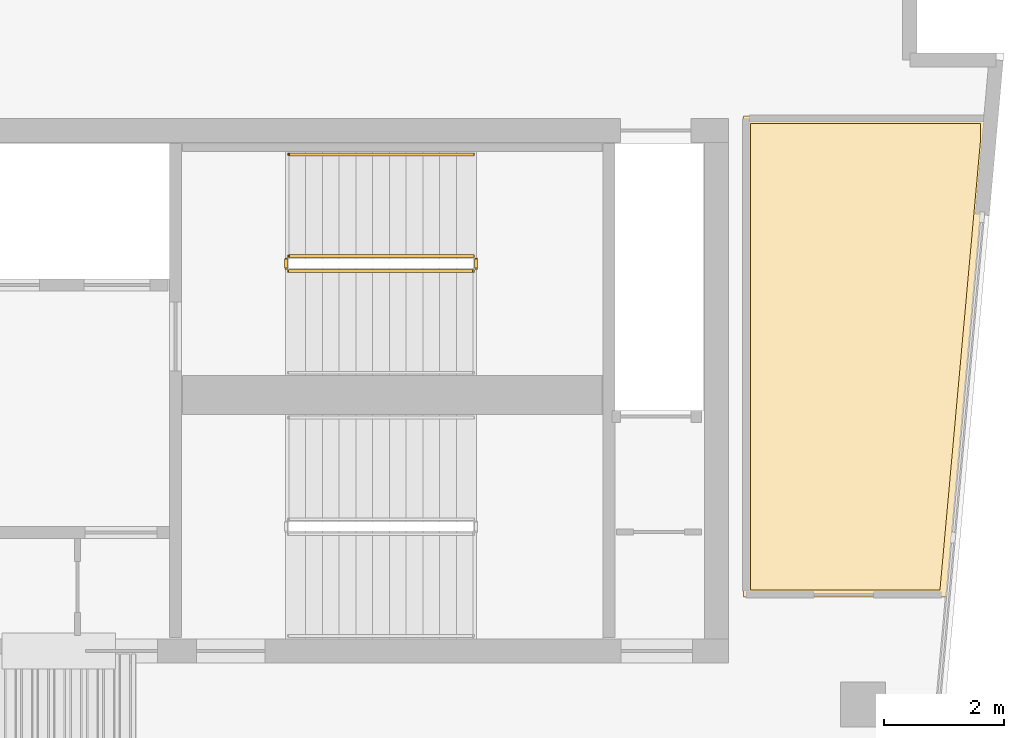
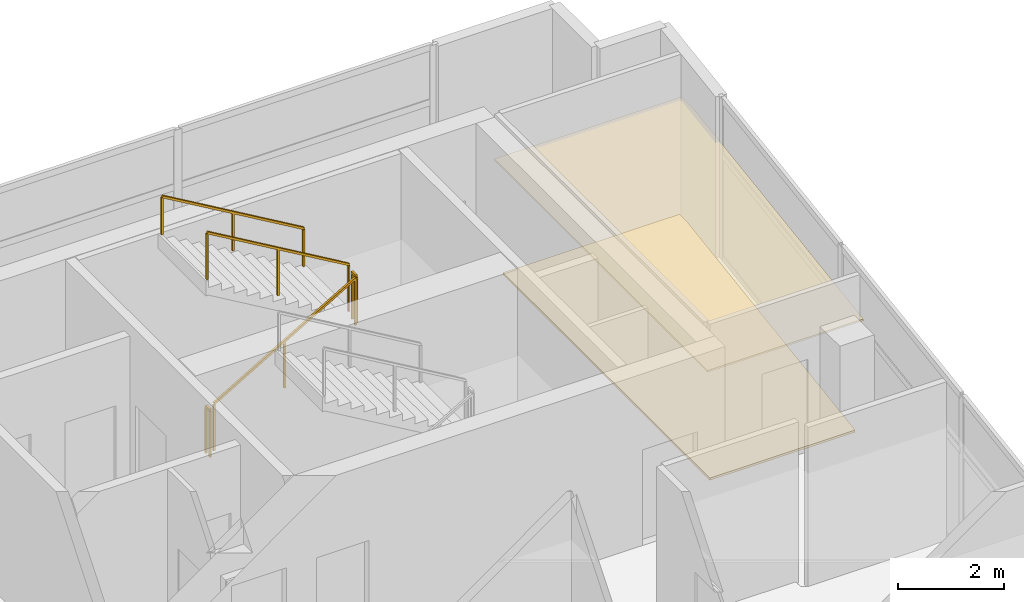
# One storey, part 7 of 7: 5 railings, 2 coverings.
"""IFC4 building model written with IfcOpenShell, lengths in metres."""

from ifc_helpers import new_model, si_unit, direction, frame, origin, origin_2d, place, context, subcontext, project, spatial, polyline, rectangle, outline, extrude, material, layer, layer_set, type_object, element, save


model = new_model("IFC4")

# Units and contexts
model_context = context("Model", 3, precision=1e-05, world=origin(), true_north=direction((0.0, 1.0)))
body_context = subcontext(model_context, "Body", "Model", "MODEL_VIEW")
ifc_project = project(units=[si_unit("LENGTHUNIT", "METRE"), si_unit("AREAUNIT", "SQUARE_METRE"), si_unit("VOLUMEUNIT", "CUBIC_METRE"), si_unit("PLANEANGLEUNIT", "RADIAN"), si_unit("MASSUNIT", "GRAM", prefix="KILO")], contexts=[model_context])

# Site, building, storey
site_placement = place(None, origin())
site = spatial("IfcSite", under=ifc_project, at=site_placement, CompositionType="ELEMENT")
building_placement = place(site_placement, origin())
building = spatial("IfcBuilding", under=site, at=building_placement, Name="Caeloran Harvest Quay", CompositionType="ELEMENT")
storey_placement = place(building_placement, frame((0.0, 0.0, 315.949951171875)))
storey = spatial("IfcBuildingStorey", under=building, at=storey_placement, Name="L76", CompositionType="ELEMENT", Elevation=315.949951171875)

# Coverings
ifc_material_1 = material(Name="Perforated Mineral-Fibre Acoustic Ceiling Tile", Category="ceiling")
ifc_layer_1 = layer(ifc_material_1, 0.0400390625, Name="Perforated Mineral-Fibre Acoustic Ceiling Tile")
ifc_layer_set_1 = layer_set([ifc_layer_1], Name="Perforated Mineral-Fibre Acoustic Ceiling Tile")
covering_type_1 = type_object("IfcCoveringType", Name="COV-CEILING-ACOUSTIC", PredefinedType="CEILING", material=ifc_layer_set_1)
covering_1_placement = place(storey_placement, frame((0.0, 0.0, 2.60009765625)))
element("IfcCovering", 1, at=covering_1_placement, inside=storey, type_object=covering_type_1, Name="L76 Bioinformatics and Crop Phenotyping Laboratory Acoustic Ceiling", PredefinedType="CEILING", context=body_context, shape_type="SweptSolid", body=[
    extrude(outline(polyline([(27.57861328125, 40.3876953125), (26.89453125, 32.800048828125), (23.5, 32.800048828125), (23.5, 40.840087890625), (27.57861328125, 40.840087890625), (27.57861328125, 40.3876953125)])), origin(), (0.0, 0.0, 1.0), 0.0400390625),
])
ifc_material_2 = material(Name="Calcium-Sulphate Raised Access Floor and Terrazzo Finish", Category="flooring")
ifc_layer_2 = layer(ifc_material_2, 0.050048828125, Name="Calcium-Sulphate Raised Access Floor and Terrazzo Finish")
ifc_layer_set_2 = layer_set([ifc_layer_2], Name="Calcium-Sulphate Raised Access Floor and Terrazzo Finish")
covering_type_2 = type_object("IfcCoveringType", Name="COV-FLOOR-RAISED", PredefinedType="FLOORING", material=ifc_layer_set_2)
covering_2_placement = place(storey_placement, origin())
element("IfcCovering", 2, at=covering_2_placement, inside=storey, type_object=covering_type_2, Name="L76 Bioinformatics and Crop Phenotyping Laboratory Raised Finish Flooring", PredefinedType="FLOORING", context=body_context, shape_type="SweptSolid", body=[
    extrude(outline(polyline([(27.458740234375, 40.39306640625), (26.784912109375, 32.919921875), (23.6201171875, 32.919921875), (23.6201171875, 40.719970703125), (27.458740234375, 40.719970703125), (27.458740234375, 40.39306640625)])), origin(), (0.0, 0.0, 1.0), 0.050048828125),
])

# Railings
ifc_material_3 = material(Name="Painted Steel Baluster and Top-Rail Stair Guard", Category="steel")
ifc_layer_3 = layer(ifc_material_3, 0.050048828125, Name="Painted Steel Baluster and Top-Rail Stair Guard")
ifc_layer_set_3 = layer_set([ifc_layer_3], Name="Painted Steel Baluster and Top-Rail Stair Guard")
railing_type_1 = type_object("IfcRailingType", Name="STAIR-GUARD-1100", PredefinedType="GUARDRAIL", material=ifc_layer_set_3)
railing_1_placement = place(storey_placement, frame((15.89990234375, 38.25, 0.16455078125)))
element("IfcRailing", 3, at=railing_1_placement, inside=storey, type_object=railing_type_1, Name="L76 ST-C1 stair guard 1", PredefinedType="GUARDRAIL", context=body_context, shape_type="SweptSolid", body=[
    extrude(rectangle(XDim=0.048095703125, YDim=0.048095703125, at=origin_2d()), frame((0.0, 0.0, 1.076171875), z_axis=(0.862088758681, 0.0, 0.506757310905), x_axis=(0.0, 1.0, 0.0)), (0.0, 0.0, 1.0), 3.57275390625),
    extrude(rectangle(XDim=0.0419921875, YDim=0.0419921875, at=origin_2d()), origin(), (0.0, 0.0, 1.0), 1.052001953125),
    extrude(rectangle(XDim=0.0419921875, YDim=0.0419921875, at=origin_2d()), frame((1.5400390625, 0.0, 0.9052734375)), (0.0, 0.0, 1.0), 1.052001953125),
    extrude(rectangle(XDim=0.0419921875, YDim=0.0419921875, at=origin_2d()), frame((3.080078125, 0.0, 1.810546875)), (0.0, 0.0, 1.0), 1.052001953125),
])
railing_2_placement = place(storey_placement, frame((19.030029296875, 38.300048828125, 1.97509765625)))
element("IfcRailing", 4, at=railing_2_placement, inside=storey, type_object=railing_type_1, Name="L76 ST-C1 stair guard 2", PredefinedType="GUARDRAIL", context=body_context, shape_type="SweptSolid", body=[
    extrude(rectangle(XDim=0.048095703125, YDim=0.048095703125, at=origin_2d()), frame((0.0, 0.0, 1.076171875), z_axis=(0.0, 1.0, 0.0), x_axis=(-1.0, 0.0, 0.0)), (0.0, 0.0, 1.0), 0.14990234375),
    extrude(rectangle(XDim=0.0419921875, YDim=0.0419921875, at=origin_2d()), origin(), (0.0, 0.0, 1.0), 1.052001953125),
    extrude(rectangle(XDim=0.0419921875, YDim=0.0419921875, at=origin_2d()), frame((0.0, 0.14990234375, 0.0)), (0.0, 0.0, 1.0), 1.052001953125),
])
railing_3_placement = place(storey_placement, frame((18.97998046875, 38.5, 2.1396484375)))
element("IfcRailing", 5, at=railing_3_placement, inside=storey, type_object=railing_type_1, Name="L76 ST-C1 stair guard 3", PredefinedType="GUARDRAIL", context=body_context, shape_type="SweptSolid", body=[
    extrude(rectangle(XDim=0.048095703125, YDim=0.048095703125, at=origin_2d()), frame((0.0, 0.0, 1.076171875), z_axis=(-0.862118610829, 0.0, 0.506706523406), x_axis=(0.0, -1.0, 0.0)), (0.0, 0.0, 1.0), 3.57275390625),
    extrude(rectangle(XDim=0.0419921875, YDim=0.0419921875, at=origin_2d()), origin(), (0.0, 0.0, 1.0), 1.052001953125),
    extrude(rectangle(XDim=0.0419921875, YDim=0.0419921875, at=origin_2d()), frame((-1.5400390625, 0.0, 0.9052734375)), (0.0, 0.0, 1.0), 1.052001953125),
    extrude(rectangle(XDim=0.0419921875, YDim=0.0419921875, at=origin_2d()), frame((-3.080078125, 0.0, 1.810302734375)), (0.0, 0.0, 1.0), 1.052001953125),
])
railing_4_placement = place(storey_placement, frame((15.85009765625, 38.300048828125, 0.0)))
element("IfcRailing", 6, at=railing_4_placement, inside=storey, type_object=railing_type_1, Name="L76 ST-C1 stair guard 4", PredefinedType="GUARDRAIL", context=body_context, shape_type="SweptSolid", body=[
    extrude(rectangle(XDim=0.048095703125, YDim=0.048095703125, at=origin_2d()), frame((0.0, 0.0, 1.076171875), z_axis=(0.0, 1.0, 0.0), x_axis=(-1.0, 0.0, 0.0)), (0.0, 0.0, 1.0), 0.14990234375),
    extrude(rectangle(XDim=0.0419921875, YDim=0.0419921875, at=origin_2d()), origin(), (0.0, 0.0, 1.0), 1.052001953125),
    extrude(rectangle(XDim=0.0419921875, YDim=0.0419921875, at=origin_2d()), frame((0.0, 0.14990234375, 0.0)), (0.0, 0.0, 1.0), 1.052001953125),
])
ifc_material_4 = material(Name="Brushed Stainless Steel Grade 304", Category="steel")
ifc_layer_4 = layer(ifc_material_4, 0.050048828125, Name="Brushed Stainless Steel Grade 304")
ifc_layer_set_4 = layer_set([ifc_layer_4], Name="Brushed Stainless Steel Grade 304")
railing_type_2 = type_object("IfcRailingType", Name="STAIR-HANDRAIL-900", PredefinedType="HANDRAIL", material=ifc_layer_set_4)
railing_5_placement = place(storey_placement, frame((18.97998046875, 40.199951171875, 2.1396484375)))
element("IfcRailing", 7, at=railing_5_placement, inside=storey, type_object=railing_type_2, Name="L76 ST-C1 stair handrail 2", PredefinedType="HANDRAIL", context=body_context, shape_type="SweptSolid", body=[
    extrude(rectangle(XDim=0.048095703125, YDim=0.048095703125, at=origin_2d()), frame((0.0, 0.0, 0.8759765625), z_axis=(-0.862118610829, 0.0, 0.506706523406), x_axis=(0.0, -1.0, 0.0)), (0.0, 0.0, 1.0), 3.57275390625),
    extrude(rectangle(XDim=0.0419921875, YDim=0.0419921875, at=origin_2d()), origin(), (0.0, 0.0, 1.0), 0.851806640625),
    extrude(rectangle(XDim=0.0419921875, YDim=0.0419921875, at=origin_2d()), frame((-1.5400390625, 0.0, 0.9052734375)), (0.0, 0.0, 1.0), 0.851806640625),
    extrude(rectangle(XDim=0.0419921875, YDim=0.0419921875, at=origin_2d()), frame((-3.080078125, 0.0, 1.810302734375)), (0.0, 0.0, 1.0), 0.851806640625),
])

save(model, "model.ifc")
